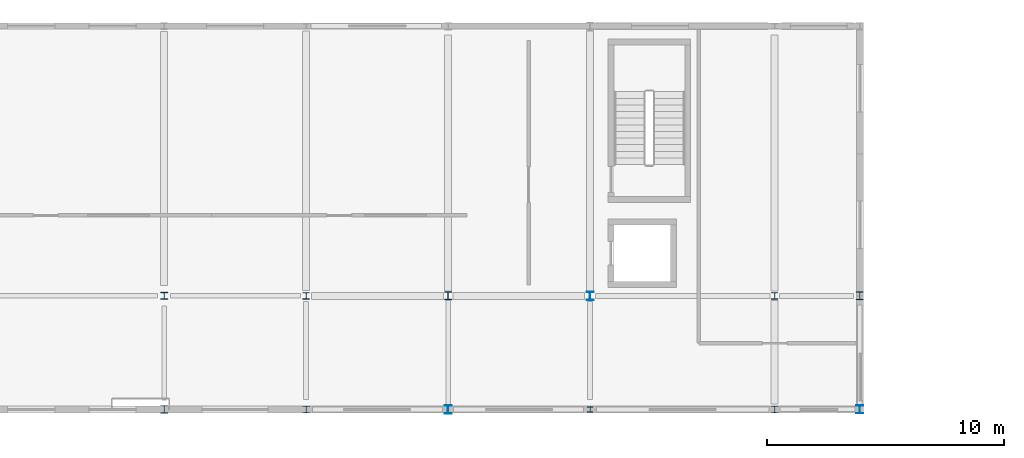
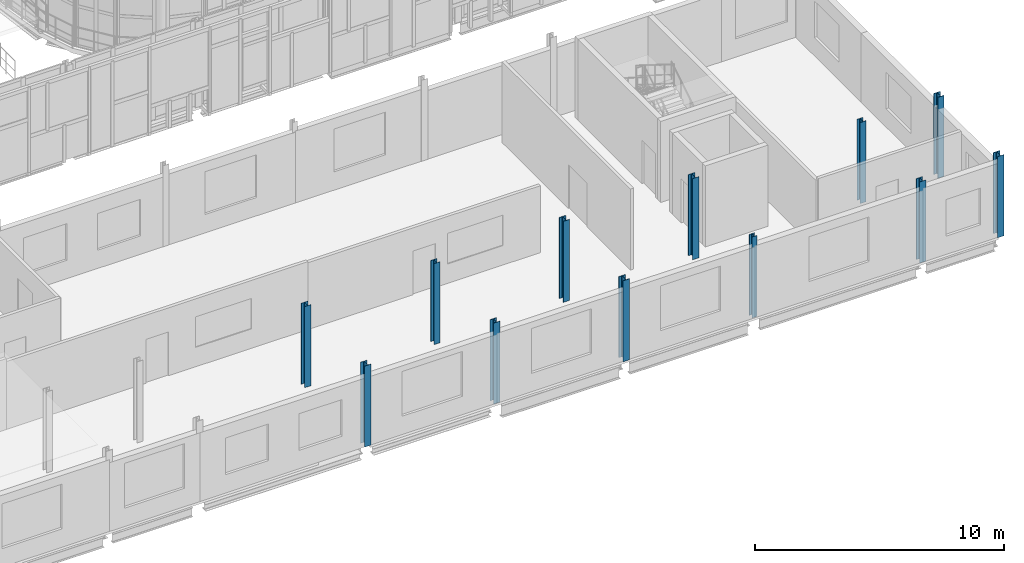
# One storey, part 4 of 121: 12 columns.
"""IFC4 building model written with IfcOpenShell, lengths in metres."""

from ifc_helpers import new_model, si_unit, direction, frame, origin, origin_2d, place, context, subcontext, project, spatial, i_section, extrude, material, material_profile, profile_set, type_object, element, save


model = new_model("IFC4")

# Units and contexts
model_context = context("Model", 3, precision=1e-05, world=origin(), true_north=direction((0.0, 1.0)))
body_context = subcontext(model_context, "Body", "Model", "MODEL_VIEW")
ifc_project = project(units=[si_unit("LENGTHUNIT", "METRE"), si_unit("AREAUNIT", "SQUARE_METRE"), si_unit("VOLUMEUNIT", "CUBIC_METRE"), si_unit("PLANEANGLEUNIT", "RADIAN"), si_unit("MASSUNIT", "GRAM", prefix="KILO")], contexts=[model_context])

# Site, building, storey
site_placement = place(None, origin())
site = spatial("IfcSite", under=ifc_project, at=site_placement, CompositionType="ELEMENT")
building_placement = place(site_placement, origin())
building = spatial("IfcBuilding", under=site, at=building_placement, Name="Vinh Khe Railworks Police Headquarters", CompositionType="ELEMENT")
storey_placement = place(building_placement, frame((0.0, 0.0, 4.800048828125)))
storey = spatial("IfcBuildingStorey", under=building, at=storey_placement, Name="L01", CompositionType="ELEMENT", Elevation=4.800048828125)

# Columns
ifc_material = material(Name="Steel S355JR", Category="steel")
ifc_material_profile_1 = material_profile(ifc_material, i_section(OverallWidth=0.239990234375, OverallDepth=0.22998046875, WebThickness=0.007568359375, FlangeThickness=0.011962890625, FilletRadius=0.02099609375, at=origin_2d()), Name="HEA 240")
ifc_profile_set_1 = profile_set([ifc_material_profile_1], Name="Steel S355JR")
column_type_1 = type_object("IfcColumnType", Name="Steel Column HEA 240", PredefinedType="COLUMN", material=ifc_profile_set_1)
column_placement = place(storey_placement, frame((52.199951171875, 1.199951171875, 0.0), z_axis=(0.0, 0.0, 1.0), x_axis=(1.0, 0.0, 0.0)))
element("IfcColumn", 1, at=column_placement, inside=storey, type_object=column_type_1, Name="Column COL-L01-SC-20-0961", PredefinedType="COLUMN", context=body_context, shape_type="SweptSolid", body=[
    extrude(i_section(OverallWidth=0.239990234375, OverallDepth=0.22998046875, WebThickness=0.007568359375, FlangeThickness=0.011962890625, FilletRadius=0.02099609375, at=origin_2d()), origin(), (0.0, 0.0, 1.0), 3.97998046875),
])
ifc_material_profile_2 = material_profile(ifc_material, i_section(OverallWidth=0.280029296875, OverallDepth=0.27001953125, WebThickness=0.008056640625, FlangeThickness=0.012939453125, FilletRadius=0.02392578125, at=origin_2d()), Name="HEA 280")
ifc_profile_set_2 = profile_set([ifc_material_profile_2], Name="Steel S355JR")
column_type_2 = type_object("IfcColumnType", Name="Steel Column HEA 280", PredefinedType="COLUMN", material=ifc_profile_set_2)
for number, where, z_axis, x_axis, name in (
    (2, (40.199951171875, 6.0, 0.0), (0.0, 0.0, 1.0), (1.0, 0.0, 0.0), "Column COL-L01-SC-19-0854"),
    (3, (60.0, 6.0, 0.0), (0.0, 0.0, 1.0), (1.0, 0.0, 0.0), "Column COL-L01-SC-19-0997"),
):
    element("IfcColumn", number, at=place(storey_placement, frame(where, z_axis=z_axis, x_axis=x_axis)), inside=storey, type_object=column_type_2, Name=name, PredefinedType="COLUMN", context=body_context, shape_type="SweptSolid", body=[
        extrude(i_section(OverallWidth=0.280029296875, OverallDepth=0.27001953125, WebThickness=0.008056640625, FlangeThickness=0.012939453125, FilletRadius=0.02392578125, at=origin_2d()), origin(), (0.0, 0.0, 1.0), 3.97998046875),
    ])
ifc_material_profile_3 = material_profile(ifc_material, i_section(OverallWidth=0.300048828125, OverallDepth=0.2900390625, WebThickness=0.008544921875, FlangeThickness=0.013916015625, FilletRadius=0.027099609375, at=origin_2d()), Name="HEA 300")
ifc_profile_set_3 = profile_set([ifc_material_profile_3], Name="Steel S355JR")
column_type_3 = type_object("IfcColumnType", Name="Steel Column HEA 300", PredefinedType="COLUMN", material=ifc_profile_set_3)
for number, where, z_axis, x_axis, name in (
    (4, (34.199951171875, 6.0, 0.0), (0.0, 0.0, 1.0), (1.0, 0.0, 0.0), "Column COL-L01-SC-18-0785"),
    (5, (40.199951171875, 1.199951171875, 0.0), (0.0, 0.0, 1.0), (1.0, 0.0, 0.0), "Column COL-L01-SC-18-0851"),
    (6, (60.0, 1.199951171875, 0.0), (0.0, 0.0, 1.0), (1.0, 0.0, 0.0), "Column COL-L01-SC-18-0994"),
):
    element("IfcColumn", number, at=place(storey_placement, frame(where, z_axis=z_axis, x_axis=x_axis)), inside=storey, type_object=column_type_3, Name=name, PredefinedType="COLUMN", context=body_context, shape_type="SweptSolid", body=[
        extrude(i_section(OverallWidth=0.300048828125, OverallDepth=0.2900390625, WebThickness=0.008544921875, FlangeThickness=0.013916015625, FilletRadius=0.027099609375, at=origin_2d()), origin(), (0.0, 0.0, 1.0), 3.97998046875),
    ])
ifc_material_profile_4 = material_profile(ifc_material, i_section(OverallWidth=0.300048828125, OverallDepth=0.330078125, WebThickness=0.009521484375, FlangeThickness=0.0166015625, FilletRadius=0.027099609375, at=origin_2d()), Name="HEA 340")
ifc_profile_set_4 = profile_set([ifc_material_profile_4], Name="Steel S355JR")
column_type_4 = type_object("IfcColumnType", Name="Steel Column HEA 340", PredefinedType="COLUMN", material=ifc_profile_set_4)
for number, where, z_axis, x_axis, name in (
    (7, (34.199951171875, 1.199951171875, 0.0), (0.0, 0.0, 1.0), (1.0, 0.0, 0.0), "Column COL-L01-SC-17-0782"),
    (8, (46.199951171875, 6.0, 0.0), (0.0, 0.0, 1.0), (1.0, 0.0, 0.0), "Column COL-L01-SC-17-0903"),
    (9, (63.60009765625, 6.0, 0.0), (0.0, 0.0, 1.0), (1.0, 0.0, 0.0), "Column COL-L01-SC-17-1116"),
):
    element("IfcColumn", number, at=place(storey_placement, frame(where, z_axis=z_axis, x_axis=x_axis)), inside=storey, type_object=column_type_4, Name=name, PredefinedType="COLUMN", context=body_context, shape_type="SweptSolid", body=[
        extrude(i_section(OverallWidth=0.300048828125, OverallDepth=0.330078125, WebThickness=0.009521484375, FlangeThickness=0.0166015625, FilletRadius=0.027099609375, at=origin_2d()), origin(), (0.0, 0.0, 1.0), 3.97998046875),
    ])
ifc_material_profile_5 = material_profile(ifc_material, i_section(OverallWidth=0.300048828125, OverallDepth=0.35009765625, WebThickness=0.010009765625, FlangeThickness=0.017578125, FilletRadius=0.027099609375, at=origin_2d()), Name="HEA 360")
ifc_profile_set_5 = profile_set([ifc_material_profile_5], Name="Steel S355JR")
column_type_5 = type_object("IfcColumnType", Name="Steel Column HEA 360", PredefinedType="COLUMN", material=ifc_profile_set_5)
for number, where, z_axis, x_axis, name in (
    (10, (46.199951171875, 1.199951171875, 0.0), (0.0, 0.0, 1.0), (1.0, 0.0, 0.0), "Column COL-L01-SC-16-0900"),
    (11, (52.199951171875, 6.0, 0.0), (0.0, 0.0, 1.0), (1.0, 0.0, 0.0), "Column COL-L01-SC-16-0964"),
    (12, (63.60009765625, 1.199951171875, 0.0), (0.0, 0.0, 1.0), (1.0, 0.0, 0.0), "Column COL-L01-SC-16-1113"),
):
    element("IfcColumn", number, at=place(storey_placement, frame(where, z_axis=z_axis, x_axis=x_axis)), inside=storey, type_object=column_type_5, Name=name, PredefinedType="COLUMN", context=body_context, shape_type="SweptSolid", body=[
        extrude(i_section(OverallWidth=0.300048828125, OverallDepth=0.35009765625, WebThickness=0.010009765625, FlangeThickness=0.017578125, FilletRadius=0.027099609375, at=origin_2d()), origin(), (0.0, 0.0, 1.0), 3.97998046875),
    ])

save(model, "model.ifc")
